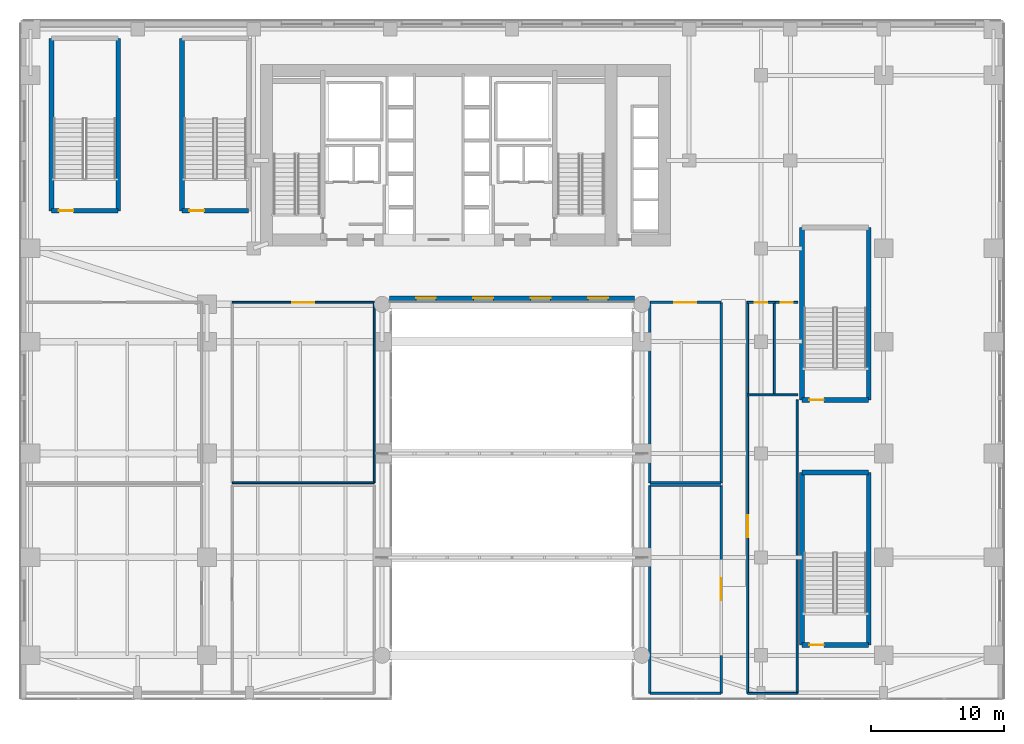
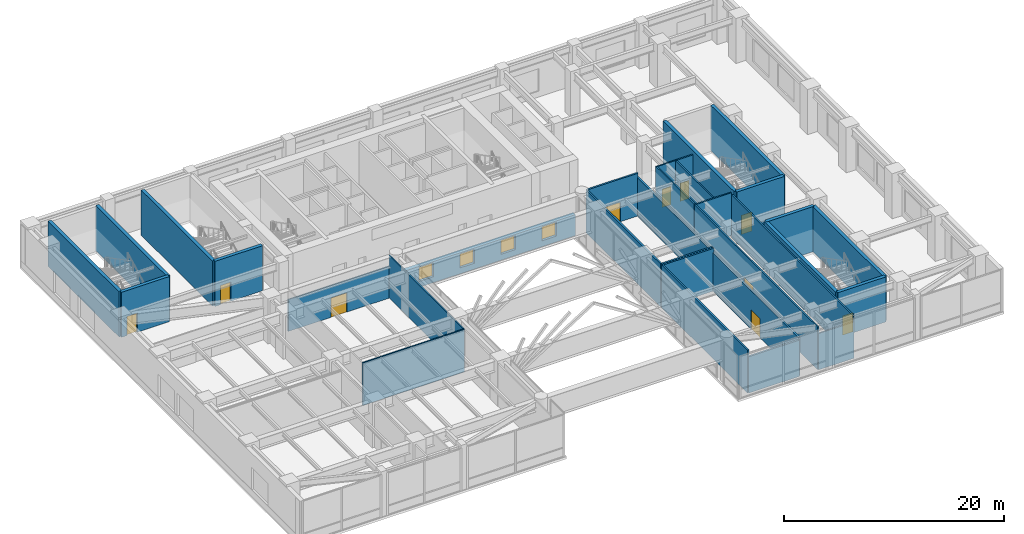
# One storey, part 28 of 39: 32 walls, 10 doors, 4 windows, 14 openings.
"""IFC4 building model written with IfcOpenShell, lengths in metres."""

from ifc_helpers import new_model, si_unit, direction, frame, frame_2d, origin, place, context, subcontext, project, spatial, rectangle, extrude, source, transform, mapped, material, layer, layer_set, type_object, type_shapes, element, fill, save


model = new_model("IFC4")

# Units and contexts
model_context = context("Model", 3, precision=1e-05, world=origin(), true_north=direction((0.0, 1.0)))
body_context = subcontext(model_context, "Body", "Model", "MODEL_VIEW")
ifc_project = project(units=[si_unit("LENGTHUNIT", "METRE"), si_unit("AREAUNIT", "SQUARE_METRE"), si_unit("VOLUMEUNIT", "CUBIC_METRE"), si_unit("PLANEANGLEUNIT", "RADIAN"), si_unit("MASSUNIT", "GRAM", prefix="KILO")], contexts=[model_context])

# Site, building, storey
site_placement = place(None, origin())
site = spatial("IfcSite", under=ifc_project, at=site_placement, CompositionType="ELEMENT")
building_placement = place(site_placement, origin())
building = spatial("IfcBuilding", under=site, at=building_placement, Name="Tolvann Quenvar Hotel", CompositionType="ELEMENT")
storey_placement = place(building_placement, frame((0.0, 0.0, 11.0)))
storey = spatial("IfcBuildingStorey", under=building, at=storey_placement, Name="L02", CompositionType="ELEMENT", Elevation=11.0)

# Wall, opening, door
ifc_material_1 = material(Name="Concrete S65 (65 MPa)", Category="concrete")
ifc_layer_1 = layer(ifc_material_1, 0.35009765625)
ifc_layer_set_1 = layer_set([ifc_layer_1], Name="Concrete S65 (65 MPa)")
wall_type_1 = type_object("IfcWallType", Name="WALL_CORE_INT_350", PredefinedType="SHEAR", material=ifc_layer_set_1)
wall_1_placement = place(storey_placement, frame((-6.074951171875, 34.22509765625, 0.0), z_axis=(0.0, 0.0, 1.0), x_axis=(1.0, 0.0, 0.0)))
wall_1 = element("IfcWall", 1, at=wall_1_placement, inside=storey, type_object=wall_type_1, Name="Stairwell ST-P1 Structural Shaft Wall S (L02)", PredefinedType="SHEAR", context=body_context, shape_type="SweptSolid", body=[
    extrude(rectangle(XDim=5.0, YDim=0.35009765625, at=frame_2d((2.5, 0.0))), origin(), (0.0, 0.0, 1.0), 5.0),
])
opening_1_placement = place(wall_1_placement, frame((0.550048828125, 0.0, 0.0)))
opening_1 = element("IfcOpeningElement", 2, at=opening_1_placement, cuts=wall_1, Name="Opening FD-120", PredefinedType="OPENING", context=body_context, shape_type="SweptSolid", body=[
    extrude(rectangle(XDim=1.10009765625, YDim=2.1201171875, at=frame_2d((0.550048828125, 1.06005859375))), frame((0.0, 0.18505859375, 0.0), z_axis=(0.0, -1.0, 0.0), x_axis=(1.0, 0.0, 0.0)), (0.0, 0.0, 1.0), 0.3701171875),
])
ifc_material_2 = material(Name="Pressed galvanised steel fire-rated door set", Category="steel")
door_type_1 = type_object("IfcDoorType", Name="DOOR_FIRE_STAIR_1100", OperationType="NOTDEFINED", PredefinedType="DOOR", material=ifc_material_2)
shared_shape_1 = source(origin(), body_context, "Body", "SweptSolid", [
    extrude(rectangle(XDim=1.10009765625, YDim=2.1201171875, at=frame_2d((0.550048828125, 1.06005859375))), frame((0.0, 0.02490234375, 0.0), z_axis=(0.0, -1.0, 0.0), x_axis=(1.0, 0.0, 0.0)), (0.0, 0.0, 1.0), 0.050048828125),
])
type_shapes(door_type_1, [shared_shape_1])
door_1_placement = place(opening_1_placement, origin())
door_1 = element("IfcDoor", 3, at=door_1_placement, inside=storey, type_object=door_type_1, Name="Exit Stair ST-P1 Fire Door (L02)", OperationType="SINGLE_SWING_RIGHT", OverallHeight=2.1201171875, OverallWidth=1.10009765625, PredefinedType="DOOR", context=body_context, shape_type="MappedRepresentation", body=[
    mapped(shared_shape_1, transform((0.0, 0.0, 0.0), x_axis=(1.0, 0.0, 0.0), y_axis=(0.0, 1.0, 0.0), z_axis=(0.0, 0.0, 1.0), scale=1.0)),
])
fill(opening_1, door_1)

# Walls
for number, where, z_axis, x_axis, name in (
    (4, (-1.074951171875, 34.22509765625, 0.0), (0.0, 0.0, 1.0), (0.0, 1.0, 0.0), "Stairwell ST-P1 Structural Shaft Wall E (L02)"),
    (5, (-6.074951171875, 47.175048828125, 0.0), (0.0, 0.0, 1.0), (0.0, -1.0, 0.0), "Stairwell ST-P1 Structural Shaft Wall W (L02)"),
):
    element("IfcWall", number, at=place(storey_placement, frame(where, z_axis=z_axis, x_axis=x_axis)), inside=storey, type_object=wall_type_1, Name=name, PredefinedType="SHEAR", context=body_context, shape_type="SweptSolid", body=[
        extrude(rectangle(XDim=12.949951171875, YDim=0.35009765625, at=frame_2d((6.47509765625, 0.0))), origin(), (0.0, 0.0, 1.0), 5.0),
    ])

# Wall, opening, door
wall_2_placement = place(storey_placement, frame((3.72509765625, 34.22509765625, 0.0), z_axis=(0.0, 0.0, 1.0), x_axis=(1.0, 0.0, 0.0)))
wall_2 = element("IfcWall", 6, at=wall_2_placement, inside=storey, type_object=wall_type_1, Name="Stairwell ST-P2 Structural Shaft Wall S (L02)", PredefinedType="SHEAR", context=body_context, shape_type="SweptSolid", body=[
    extrude(rectangle(XDim=5.0, YDim=0.35009765625, at=frame_2d((2.5, 0.0))), origin(), (0.0, 0.0, 1.0), 5.0),
])
opening_2_placement = place(wall_2_placement, frame((0.550048828125, 0.0, 0.0)))
opening_2 = element("IfcOpeningElement", 7, at=opening_2_placement, cuts=wall_2, Name="Opening FD-120", PredefinedType="OPENING", context=body_context, shape_type="SweptSolid", body=[
    extrude(rectangle(XDim=1.10009765625, YDim=2.1201171875, at=frame_2d((0.550048828125, 1.06005859375))), frame((0.0, 0.18505859375, 0.0), z_axis=(0.0, -1.0, 0.0), x_axis=(1.0, 0.0, 0.0)), (0.0, 0.0, 1.0), 0.3701171875),
])
door_2_placement = place(opening_2_placement, origin())
door_2 = element("IfcDoor", 8, at=door_2_placement, inside=storey, type_object=door_type_1, Name="Exit Stair ST-P2 Fire Door (L02)", OperationType="SINGLE_SWING_LEFT", OverallHeight=2.1201171875, OverallWidth=1.10009765625, PredefinedType="DOOR", context=body_context, shape_type="MappedRepresentation", body=[
    mapped(shared_shape_1, transform((0.0, 0.0, 0.0), x_axis=(1.0, 0.0, 0.0), y_axis=(0.0, 1.0, 0.0), z_axis=(0.0, 0.0, 1.0), scale=1.0)),
])
fill(opening_2, door_2)

# Wall
wall_3_placement = place(storey_placement, frame((3.72509765625, 47.175048828125, 0.0), z_axis=(0.0, 0.0, 1.0), x_axis=(0.0, -1.0, 0.0)))
element("IfcWall", 9, at=wall_3_placement, inside=storey, type_object=wall_type_1, Name="Stairwell ST-P2 Structural Shaft Wall W (L02)", PredefinedType="SHEAR", context=body_context, shape_type="SweptSolid", body=[
    extrude(rectangle(XDim=12.949951171875, YDim=0.35009765625, at=frame_2d((6.47509765625, 0.0))), origin(), (0.0, 0.0, 1.0), 5.0),
])

# Wall, opening, door
wall_4_placement = place(storey_placement, frame((50.27490234375, 1.625, 0.0), z_axis=(0.0, 0.0, 1.0), x_axis=(1.0, 0.0, 0.0)))
wall_4 = element("IfcWall", 10, at=wall_4_placement, inside=storey, type_object=wall_type_1, Name="Stairwell ST-P3 Structural Shaft Wall S (L02)", PredefinedType="SHEAR", context=body_context, shape_type="SweptSolid", body=[
    extrude(rectangle(XDim=5.0, YDim=0.35009765625, at=frame_2d((2.5, 0.0))), origin(), (0.0, 0.0, 1.0), 5.0),
])
opening_3_placement = place(wall_4_placement, frame((0.550048828125, 0.0, 0.0)))
opening_3 = element("IfcOpeningElement", 11, at=opening_3_placement, cuts=wall_4, Name="Opening FD-120", PredefinedType="OPENING", context=body_context, shape_type="SweptSolid", body=[
    extrude(rectangle(XDim=1.10009765625, YDim=2.1201171875, at=frame_2d((0.550048828125, 1.06005859375))), frame((0.0, 0.18505859375, 0.0), z_axis=(0.0, -1.0, 0.0), x_axis=(1.0, 0.0, 0.0)), (0.0, 0.0, 1.0), 0.3701171875),
])
door_3_placement = place(opening_3_placement, origin())
door_3 = element("IfcDoor", 12, at=door_3_placement, inside=storey, type_object=door_type_1, Name="Exit Stair ST-P3 Fire Door (L02)", OperationType="SINGLE_SWING_RIGHT", OverallHeight=2.1201171875, OverallWidth=1.10009765625, PredefinedType="DOOR", context=body_context, shape_type="MappedRepresentation", body=[
    mapped(shared_shape_1, transform((0.0, 0.0, 0.0), x_axis=(1.0, 0.0, 0.0), y_axis=(0.0, 1.0, 0.0), z_axis=(0.0, 0.0, 1.0), scale=1.0)),
])
fill(opening_3, door_3)

# Walls
wall_5_placement = place(storey_placement, frame((55.27490234375, 1.625, 0.0), z_axis=(0.0, 0.0, 1.0), x_axis=(0.0, 1.0, 0.0)))
element("IfcWall", 13, at=wall_5_placement, inside=storey, type_object=wall_type_1, Name="Stairwell ST-P3 Structural Shaft Wall E (L02)", PredefinedType="SHEAR", context=body_context, shape_type="SweptSolid", body=[
    extrude(rectangle(XDim=12.949951171875, YDim=0.35009765625, at=frame_2d((6.47509765625, 0.0))), origin(), (0.0, 0.0, 1.0), 5.0),
])
wall_6_placement = place(storey_placement, frame((55.27490234375, 14.574951171875, 0.0), z_axis=(0.0, 0.0, 1.0), x_axis=(-1.0, 0.0, 0.0)))
element("IfcWall", 14, at=wall_6_placement, inside=storey, type_object=wall_type_1, Name="Stairwell ST-P3 Structural Shaft Wall N (L02)", PredefinedType="SHEAR", context=body_context, shape_type="SweptSolid", body=[
    extrude(rectangle(XDim=5.0, YDim=0.35009765625, at=frame_2d((2.5, 0.0))), origin(), (0.0, 0.0, 1.0), 5.0),
])
wall_7_placement = place(storey_placement, frame((50.27490234375, 14.574951171875, 0.0), z_axis=(0.0, 0.0, 1.0), x_axis=(0.0, -1.0, 0.0)))
element("IfcWall", 15, at=wall_7_placement, inside=storey, type_object=wall_type_1, Name="Stairwell ST-P3 Structural Shaft Wall W (L02)", PredefinedType="SHEAR", context=body_context, shape_type="SweptSolid", body=[
    extrude(rectangle(XDim=12.949951171875, YDim=0.35009765625, at=frame_2d((6.47509765625, 0.0))), origin(), (0.0, 0.0, 1.0), 5.0),
])

# Wall, opening, door
wall_8_placement = place(storey_placement, frame((50.27490234375, 20.02490234375, 0.0), z_axis=(0.0, 0.0, 1.0), x_axis=(1.0, 0.0, 0.0)))
wall_8 = element("IfcWall", 16, at=wall_8_placement, inside=storey, type_object=wall_type_1, Name="Stairwell ST-P4 Structural Shaft Wall S (L02)", PredefinedType="SHEAR", context=body_context, shape_type="SweptSolid", body=[
    extrude(rectangle(XDim=5.0, YDim=0.35009765625, at=frame_2d((2.5, 0.0))), origin(), (0.0, 0.0, 1.0), 5.0),
])
opening_4_placement = place(wall_8_placement, frame((0.550048828125, 0.0, 0.0)))
opening_4 = element("IfcOpeningElement", 17, at=opening_4_placement, cuts=wall_8, Name="Opening FD-120", PredefinedType="OPENING", context=body_context, shape_type="SweptSolid", body=[
    extrude(rectangle(XDim=1.10009765625, YDim=2.1201171875, at=frame_2d((0.550048828125, 1.06005859375))), frame((0.0, 0.18505859375, 0.0), z_axis=(0.0, -1.0, 0.0), x_axis=(1.0, 0.0, 0.0)), (0.0, 0.0, 1.0), 0.3701171875),
])
door_4_placement = place(opening_4_placement, origin())
door_4 = element("IfcDoor", 18, at=door_4_placement, inside=storey, type_object=door_type_1, Name="Exit Stair ST-P4 Fire Door (L02)", OperationType="SINGLE_SWING_LEFT", OverallHeight=2.1201171875, OverallWidth=1.10009765625, PredefinedType="DOOR", context=body_context, shape_type="MappedRepresentation", body=[
    mapped(shared_shape_1, transform((0.0, 0.0, 0.0), x_axis=(1.0, 0.0, 0.0), y_axis=(0.0, 1.0, 0.0), z_axis=(0.0, 0.0, 1.0), scale=1.0)),
])
fill(opening_4, door_4)

# Walls
for number, where, z_axis, x_axis, name in (
    (19, (55.27490234375, 20.02490234375, 0.0), (0.0, 0.0, 1.0), (0.0, 1.0, 0.0), "Stairwell ST-P4 Structural Shaft Wall E (L02)"),
    (20, (50.27490234375, 32.97509765625, 0.0), (0.0, 0.0, 1.0), (0.0, -1.0, 0.0), "Stairwell ST-P4 Structural Shaft Wall W (L02)"),
):
    element("IfcWall", number, at=place(storey_placement, frame(where, z_axis=z_axis, x_axis=x_axis)), inside=storey, type_object=wall_type_1, Name=name, PredefinedType="SHEAR", context=body_context, shape_type="SweptSolid", body=[
        extrude(rectangle(XDim=12.9501953125, YDim=0.35009765625, at=frame_2d((6.47509765625, 0.0))), origin(), (0.0, 0.0, 1.0), 5.0),
    ])

# Wall, openings, windows
ifc_material_3 = material(Name="Kiln-fired red and buff architectural clay brickwork and terracotta masonry", Category="masonry")
ifc_layer_2 = layer(ifc_material_3, 0.419921875)
ifc_layer_set_2 = layer_set([ifc_layer_2], Name="Kiln-fired red and buff architectural clay brickwork and terracotta masonry")
wall_type_2 = type_object("IfcWallType", Name="WALL_EXT_POD_420", PredefinedType="SOLIDWALL", material=ifc_layer_set_2)
wall_9_placement = place(storey_placement, frame((19.2900390625, 27.610107421875, 0.0), z_axis=(0.0, 0.0, 1.0), x_axis=(1.0, 0.0, 0.0)))
wall_9 = element("IfcWall", 21, at=wall_9_placement, inside=storey, type_object=wall_type_2, Name="Exterior Chicago Brick Wall L02-E02", PredefinedType="SOLIDWALL", context=body_context, shape_type="SweptSolid", body=[
    extrude(rectangle(XDim=18.419921875, YDim=0.419921875, at=frame_2d((9.2099609375, 0.0))), origin(), (0.0, 0.0, 1.0), 2.330078125),
])
opening_5_placement = place(wall_9_placement, frame((2.0029296875, 0.0, 0.64990234375)))
opening_5 = element("IfcOpeningElement", 22, at=opening_5_placement, cuts=wall_9, Name="Opening W-08", PredefinedType="OPENING", context=body_context, shape_type="SweptSolid", body=[
    extrude(rectangle(XDim=1.5, YDim=1.550048828125, at=frame_2d((0.75, 0.77490234375))), frame((0.0, 0.219970703125, 0.0), z_axis=(0.0, -1.0, 0.0), x_axis=(1.0, 0.0, 0.0)), (0.0, 0.0, 1.0), 0.43994140625),
])
opening_6_placement = place(wall_9_placement, frame((6.30810546875, 0.0, 0.64990234375)))
opening_6 = element("IfcOpeningElement", 23, at=opening_6_placement, cuts=wall_9, Name="Opening W-08", PredefinedType="OPENING", context=body_context, shape_type="SweptSolid", body=[
    extrude(rectangle(XDim=1.5, YDim=1.550048828125, at=frame_2d((0.75, 0.77490234375))), frame((0.0, 0.219970703125, 0.0), z_axis=(0.0, -1.0, 0.0), x_axis=(1.0, 0.0, 0.0)), (0.0, 0.0, 1.0), 0.43994140625),
])
opening_7_placement = place(wall_9_placement, frame((10.613037109375, 0.0, 0.64990234375)))
opening_7 = element("IfcOpeningElement", 24, at=opening_7_placement, cuts=wall_9, Name="Opening W-08", PredefinedType="OPENING", context=body_context, shape_type="SweptSolid", body=[
    extrude(rectangle(XDim=1.5, YDim=1.550048828125, at=frame_2d((0.75, 0.77490234375))), frame((0.0, 0.219970703125, 0.0), z_axis=(0.0, -1.0, 0.0), x_axis=(1.0, 0.0, 0.0)), (0.0, 0.0, 1.0), 0.43994140625),
])
opening_8_placement = place(wall_9_placement, frame((14.91796875, 0.0, 0.64990234375)))
opening_8 = element("IfcOpeningElement", 25, at=opening_8_placement, cuts=wall_9, Name="Opening W-08", PredefinedType="OPENING", context=body_context, shape_type="SweptSolid", body=[
    extrude(rectangle(XDim=1.5, YDim=1.550048828125, at=frame_2d((0.75, 0.77490234375))), frame((0.0, 0.219970703125, 0.0), z_axis=(0.0, -1.0, 0.0), x_axis=(1.0, 0.0, 0.0)), (0.0, 0.0, 1.0), 0.43994140625),
])
ifc_material_4 = material(Name="Thermally broken bronze-anodised aluminium frame with double low-E glazing", Category="aluminium")
window_type = type_object("IfcWindowType", Name="WIN_COR_1500x2050", PartitioningType="SINGLE_PANEL", PredefinedType="WINDOW", material=ifc_material_4)
shared_shape_2 = source(origin(), body_context, "Body", "SweptSolid", [
    extrude(rectangle(XDim=1.5, YDim=1.550048828125, at=frame_2d((0.75, 0.77490234375))), frame((0.0, 0.090087890625, 0.0), z_axis=(0.0, -1.0, 0.0), x_axis=(1.0, 0.0, 0.0)), (0.0, 0.0, 1.0), 0.06005859375),
])
type_shapes(window_type, [shared_shape_2])
window_1_placement = place(opening_5_placement, origin())
window_1 = element("IfcWindow", 26, at=window_1_placement, inside=storey, type_object=window_type, Name="Chicago Window W-08 (EW-L02-E02-W01)", OverallHeight=1.550048828125, OverallWidth=1.5, PartitioningType="SINGLE_PANEL", PredefinedType="WINDOW", context=body_context, shape_type="MappedRepresentation", body=[
    mapped(shared_shape_2, transform((0.0, 0.0, 0.0), x_axis=(1.0, 0.0, 0.0), y_axis=(0.0, 1.0, 0.0), z_axis=(0.0, 0.0, 1.0), scale=1.0)),
])
fill(opening_5, window_1)
window_2_placement = place(opening_6_placement, origin())
window_2 = element("IfcWindow", 27, at=window_2_placement, inside=storey, type_object=window_type, Name="Chicago Window W-08 (EW-L02-E02-W02)", OverallHeight=1.550048828125, OverallWidth=1.5, PartitioningType="SINGLE_PANEL", PredefinedType="WINDOW", context=body_context, shape_type="MappedRepresentation", body=[
    mapped(shared_shape_2, transform((0.0, 0.0, 0.0), x_axis=(1.0, 0.0, 0.0), y_axis=(0.0, 1.0, 0.0), z_axis=(0.0, 0.0, 1.0), scale=1.0)),
])
fill(opening_6, window_2)
window_3_placement = place(opening_7_placement, origin())
window_3 = element("IfcWindow", 28, at=window_3_placement, inside=storey, type_object=window_type, Name="Chicago Window W-08 (EW-L02-E02-W03)", OverallHeight=1.550048828125, OverallWidth=1.5, PartitioningType="SINGLE_PANEL", PredefinedType="WINDOW", context=body_context, shape_type="MappedRepresentation", body=[
    mapped(shared_shape_2, transform((0.0, 0.0, 0.0), x_axis=(1.0, 0.0, 0.0), y_axis=(0.0, 1.0, 0.0), z_axis=(0.0, 0.0, 1.0), scale=1.0)),
])
fill(opening_7, window_3)
window_4_placement = place(opening_8_placement, origin())
window_4 = element("IfcWindow", 29, at=window_4_placement, inside=storey, type_object=window_type, Name="Chicago Window W-08 (EW-L02-E02-W04)", OverallHeight=1.550048828125, OverallWidth=1.5, PartitioningType="SINGLE_PANEL", PredefinedType="WINDOW", context=body_context, shape_type="MappedRepresentation", body=[
    mapped(shared_shape_2, transform((0.0, 0.0, 0.0), x_axis=(1.0, 0.0, 0.0), y_axis=(0.0, 1.0, 0.0), z_axis=(0.0, 0.0, 1.0), scale=1.0)),
])
fill(opening_8, window_4)

# Walls
ifc_material_5 = material(Name="Acoustic twin-stud fire-rated gypsum plasterboard partition")
ifc_layer_3 = layer(ifc_material_5, 0.179931640625)
ifc_layer_set_3 = layer_set([ifc_layer_3], Name="Acoustic twin-stud fire-rated gypsum plasterboard partition")
wall_type_3 = type_object("IfcWallType", Name="WALL_PART_ACOUSTIC_180", PredefinedType="PARTITIONING", material=ifc_layer_set_3)
wall_10_placement = place(storey_placement, frame((38.85009765625, -2.0, 0.0), z_axis=(0.0, 0.0, 1.0), x_axis=(1.0, 0.0, 0.0)))
element("IfcWall", 30, at=wall_10_placement, inside=storey, type_object=wall_type_3, Name="Interior Partition PT-SPC-L02-BRD1-S", PredefinedType="PARTITIONING", context=body_context, shape_type="SweptSolid", body=[
    extrude(rectangle(XDim=5.349853515625, YDim=0.179931640625, at=frame_2d((2.6748046875, 0.0))), origin(), (0.0, 0.0, 1.0), 4.030029296875),
])
wall_11_placement = place(storey_placement, frame((38.85009765625, 13.60009765625, 0.0), z_axis=(0.0, 0.0, 1.0), x_axis=(1.0, 0.0, 0.0)))
element("IfcWall", 31, at=wall_11_placement, inside=storey, type_object=wall_type_3, Name="Interior Partition PT-SPC-L02-BRD1-N", PredefinedType="PARTITIONING", context=body_context, shape_type="SweptSolid", body=[
    extrude(rectangle(XDim=5.349853515625, YDim=0.179931640625, at=frame_2d((2.6748046875, 0.0))), origin(), (0.0, 0.0, 1.0), 4.739990234375),
])
wall_12_placement = place(storey_placement, frame((38.85009765625, -2.0, 0.0), z_axis=(0.0, 0.0, 1.0), x_axis=(0.0, 1.0, 0.0)))
element("IfcWall", 32, at=wall_12_placement, inside=storey, type_object=wall_type_3, Name="Interior Partition PT-SPC-L02-BRD1-W", PredefinedType="PARTITIONING", context=body_context, shape_type="SweptSolid", body=[
    extrude(rectangle(XDim=15.60009765625, YDim=0.179931640625, at=frame_2d((7.800048828125, 0.0))), origin(), (0.0, 0.0, 1.0), 4.739990234375),
])

# Wall, opening, door
wall_13_placement = place(storey_placement, frame((44.199951171875, -2.0, 0.0), z_axis=(0.0, 0.0, 1.0), x_axis=(0.0, 1.0, 0.0)))
wall_13 = element("IfcWall", 33, at=wall_13_placement, inside=storey, type_object=wall_type_3, Name="Interior Partition PT-SPC-L02-BRD1-E", PredefinedType="PARTITIONING", context=body_context, shape_type="SweptSolid", body=[
    extrude(rectangle(XDim=15.60009765625, YDim=0.179931640625, at=frame_2d((7.800048828125, 0.0))), origin(), (0.0, 0.0, 1.0), 4.27587890625),
])
opening_9_placement = place(wall_13_placement, frame((6.97509765625, 0.0, 0.0)))
opening_9 = element("IfcOpeningElement", 34, at=opening_9_placement, cuts=wall_13, Name="Opening AD-01", PredefinedType="OPENING", context=body_context, shape_type="SweptSolid", body=[
    extrude(rectangle(XDim=1.64990234375, YDim=2.14990234375, at=frame_2d((0.824951171875, 1.074951171875))), frame((0.0, 0.10009765625, 0.0), z_axis=(0.0, -1.0, 0.0), x_axis=(1.0, 0.0, 0.0)), (0.0, 0.0, 1.0), 0.199951171875),
])
ifc_material_6 = material(Name="Solid-core American oak acoustic fire door leaf in steel frame", Category="steel")
door_type_2 = type_object("IfcDoorType", Name="DOOR_SALON_1650", OperationType="NOTDEFINED", PredefinedType="DOOR", material=ifc_material_6)
shared_shape_3 = source(origin(), body_context, "Body", "SweptSolid", [
    extrude(rectangle(XDim=1.64990234375, YDim=2.14990234375, at=frame_2d((0.824951171875, 1.074951171875))), frame((0.0, 0.02490234375, 0.0), z_axis=(0.0, -1.0, 0.0), x_axis=(1.0, 0.0, 0.0)), (0.0, 0.0, 1.0), 0.050048828125),
])
type_shapes(door_type_2, [shared_shape_3])
door_5_placement = place(opening_9_placement, origin())
door_5 = element("IfcDoor", 35, at=door_5_placement, inside=storey, type_object=door_type_2, Name="Interior Door DOOR-SPC-L02-BRD1", OperationType="DOUBLE_DOOR_SINGLE_SWING", OverallHeight=2.14990234375, OverallWidth=1.64990234375, PredefinedType="DOOR", context=body_context, shape_type="MappedRepresentation", body=[
    mapped(shared_shape_3, transform((0.0, 0.0, 0.0), x_axis=(1.0, 0.0, 0.0), y_axis=(0.0, 1.0, 0.0), z_axis=(0.0, 0.0, 1.0), scale=1.0)),
])
fill(opening_9, door_5)

# Wall
wall_14_placement = place(storey_placement, frame((38.85009765625, 13.800048828125, 0.0), z_axis=(0.0, 0.0, 1.0), x_axis=(1.0, 0.0, 0.0)))
element("IfcWall", 36, at=wall_14_placement, inside=storey, type_object=wall_type_3, Name="Interior Partition PT-SPC-L02-BRD2-S", PredefinedType="PARTITIONING", context=body_context, shape_type="SweptSolid", body=[
    extrude(rectangle(XDim=5.349853515625, YDim=0.179931640625, at=frame_2d((2.6748046875, 0.0))), origin(), (0.0, 0.0, 1.0), 4.739990234375),
])

# Wall, opening, door
wall_15_placement = place(storey_placement, frame((38.85009765625, 27.35009765625, 0.0), z_axis=(0.0, 0.0, 1.0), x_axis=(1.0, 0.0, 0.0)))
wall_15 = element("IfcWall", 37, at=wall_15_placement, inside=storey, type_object=wall_type_3, Name="Interior Partition PT-SPC-L02-BRD2-N", PredefinedType="PARTITIONING", context=body_context, shape_type="SweptSolid", body=[
    extrude(rectangle(XDim=5.349853515625, YDim=0.179931640625, at=frame_2d((2.6748046875, 0.0))), origin(), (0.0, 0.0, 1.0), 4.739990234375),
])
opening_10_placement = place(wall_15_placement, frame((1.85009765625, 0.0, 0.0)))
opening_10 = element("IfcOpeningElement", 38, at=opening_10_placement, cuts=wall_15, Name="Opening AD-01", PredefinedType="OPENING", context=body_context, shape_type="SweptSolid", body=[
    extrude(rectangle(XDim=1.64990234375, YDim=2.14990234375, at=frame_2d((0.824951171875, 1.074951171875))), frame((0.0, 0.10009765625, 0.0), z_axis=(0.0, -1.0, 0.0), x_axis=(1.0, 0.0, 0.0)), (0.0, 0.0, 1.0), 0.199951171875),
])
door_6_placement = place(opening_10_placement, origin())
door_6 = element("IfcDoor", 39, at=door_6_placement, inside=storey, type_object=door_type_2, Name="Interior Door DOOR-SPC-L02-BRD2", OperationType="DOUBLE_DOOR_SINGLE_SWING", OverallHeight=2.14990234375, OverallWidth=1.64990234375, PredefinedType="DOOR", context=body_context, shape_type="MappedRepresentation", body=[
    mapped(shared_shape_3, transform((0.0, 0.0, 0.0), x_axis=(1.0, 0.0, 0.0), y_axis=(0.0, 1.0, 0.0), z_axis=(0.0, 0.0, 1.0), scale=1.0)),
])
fill(opening_10, door_6)

# Walls
wall_16_placement = place(storey_placement, frame((38.85009765625, 13.800048828125, 0.0), z_axis=(0.0, 0.0, 1.0), x_axis=(0.0, 1.0, 0.0)))
element("IfcWall", 40, at=wall_16_placement, inside=storey, type_object=wall_type_3, Name="Interior Partition PT-SPC-L02-BRD2-W", PredefinedType="PARTITIONING", context=body_context, shape_type="SweptSolid", body=[
    extrude(rectangle(XDim=13.550048828125, YDim=0.179931640625, at=frame_2d((6.77490234375, 0.0))), origin(), (0.0, 0.0, 1.0), 4.739990234375),
])
wall_17_placement = place(storey_placement, frame((44.199951171875, 13.800048828125, 0.0), z_axis=(0.0, 0.0, 1.0), x_axis=(0.0, 1.0, 0.0)))
element("IfcWall", 41, at=wall_17_placement, inside=storey, type_object=wall_type_3, Name="Interior Partition PT-SPC-L02-BRD2-E", PredefinedType="PARTITIONING", context=body_context, shape_type="SweptSolid", body=[
    extrude(rectangle(XDim=13.550048828125, YDim=0.179931640625, at=frame_2d((6.77490234375, 0.0))), origin(), (0.0, 0.0, 1.0), 4.27587890625),
])
ifc_material_7 = material(Name="Acoustic operable timber-clad banquet partition", Category="wood")
ifc_layer_4 = layer(ifc_material_7, 0.1298828125)
ifc_layer_set_4 = layer_set([ifc_layer_4], Name="Acoustic operable timber-clad banquet partition")
wall_type_4 = type_object("IfcWallType", Name="WALL_PART_OPER_130", PredefinedType="MOVABLE", material=ifc_layer_set_4)
wall_18_placement = place(storey_placement, frame((7.5, 13.800048828125, 0.0), z_axis=(0.0, 0.0, 1.0), x_axis=(1.0, 0.0, 0.0)))
element("IfcWall", 42, at=wall_18_placement, inside=storey, type_object=wall_type_4, Name="Interior Partition PT-SPC-L02-CF4-S", PredefinedType="MOVABLE", context=body_context, shape_type="SweptSolid", body=[
    extrude(rectangle(XDim=10.64990234375, YDim=0.1298828125, at=frame_2d((5.324951171875, 0.0))), origin(), (0.0, 0.0, 1.0), 4.739990234375),
])

# Wall, opening, door
wall_19_placement = place(storey_placement, frame((7.5, 27.35009765625, 0.0), z_axis=(0.0, 0.0, 1.0), x_axis=(1.0, 0.0, 0.0)))
wall_19 = element("IfcWall", 43, at=wall_19_placement, inside=storey, type_object=wall_type_4, Name="Interior Partition PT-SPC-L02-CF4-N", PredefinedType="MOVABLE", context=body_context, shape_type="SweptSolid", body=[
    extrude(rectangle(XDim=10.64990234375, YDim=0.1298828125, at=frame_2d((5.324951171875, 0.0))), origin(), (0.0, 0.0, 1.0), 3.530029296875),
])
opening_11_placement = place(wall_19_placement, frame((4.5, 0.0, 0.0)))
opening_11 = element("IfcOpeningElement", 44, at=opening_11_placement, cuts=wall_19, Name="Opening AD-02", PredefinedType="OPENING", context=body_context, shape_type="SweptSolid", body=[
    extrude(rectangle(XDim=1.64990234375, YDim=2.14990234375, at=frame_2d((0.824951171875, 1.074951171875))), frame((0.0, 0.074951171875, 0.0), z_axis=(0.0, -1.0, 0.0), x_axis=(1.0, 0.0, 0.0)), (0.0, 0.0, 1.0), 0.14990234375),
])
door_type_3 = type_object("IfcDoorType", Name="DOOR_CONF_1650", OperationType="NOTDEFINED", PredefinedType="DOOR", material=ifc_material_6)
shared_shape_4 = source(origin(), body_context, "Body", "SweptSolid", [
    extrude(rectangle(XDim=1.64990234375, YDim=2.14990234375, at=frame_2d((0.824951171875, 1.074951171875))), frame((0.0, 0.02490234375, 0.0), z_axis=(0.0, -1.0, 0.0), x_axis=(1.0, 0.0, 0.0)), (0.0, 0.0, 1.0), 0.050048828125),
])
type_shapes(door_type_3, [shared_shape_4])
door_7_placement = place(opening_11_placement, origin())
door_7 = element("IfcDoor", 45, at=door_7_placement, inside=storey, type_object=door_type_3, Name="Interior Door DOOR-SPC-L02-CF4", OperationType="DOUBLE_DOOR_SINGLE_SWING", OverallHeight=2.14990234375, OverallWidth=1.64990234375, PredefinedType="DOOR", context=body_context, shape_type="MappedRepresentation", body=[
    mapped(shared_shape_4, transform((0.0, 0.0, 0.0), x_axis=(1.0, 0.0, 0.0), y_axis=(0.0, 1.0, 0.0), z_axis=(0.0, 0.0, 1.0), scale=1.0)),
])
fill(opening_11, door_7)

# Walls
wall_20_placement = place(storey_placement, frame((18.14990234375, 13.800048828125, 0.0), z_axis=(0.0, 0.0, 1.0), x_axis=(0.0, 1.0, 0.0)))
element("IfcWall", 46, at=wall_20_placement, inside=storey, type_object=wall_type_4, Name="Interior Partition PT-SPC-L02-CF4-E", PredefinedType="MOVABLE", context=body_context, shape_type="SweptSolid", body=[
    extrude(rectangle(XDim=13.550048828125, YDim=0.1298828125, at=frame_2d((6.77490234375, 0.0))), origin(), (0.0, 0.0, 1.0), 4.739990234375),
])
ifc_layer_5 = layer(ifc_material_5, 0.14990234375)
ifc_layer_set_5 = layer_set([ifc_layer_5], Name="Acoustic twin-stud fire-rated gypsum plasterboard partition")
wall_type_5 = type_object("IfcWallType", Name="WALL_PART_SUITE_150", PredefinedType="PARTITIONING", material=ifc_layer_set_5)
wall_21_placement = place(storey_placement, frame((46.199951171875, -2.0, 0.0), z_axis=(0.0, 0.0, 1.0), x_axis=(1.0, 0.0, 0.0)))
element("IfcWall", 47, at=wall_21_placement, inside=storey, type_object=wall_type_5, Name="Interior Partition PT-SPC-L02-BIZ-S", PredefinedType="PARTITIONING", context=body_context, shape_type="SweptSolid", body=[
    extrude(rectangle(XDim=3.699951171875, YDim=0.14990234375, at=frame_2d((1.85009765625, 0.0))), origin(), (0.0, 0.0, 1.0), 4.030029296875),
])
wall_22_placement = place(storey_placement, frame((46.1298828125, 20.39990234375, 0.0), z_axis=(0.0, 0.0, 1.0), x_axis=(1.0, 0.0, 0.0)))
element("IfcWall", 48, at=wall_22_placement, inside=storey, type_object=wall_type_5, Name="Interior Partition PT-SPC-L02-BIZ-N", PredefinedType="PARTITIONING", context=body_context, shape_type="SweptSolid", body=[
    extrude(rectangle(XDim=3.840087890625, YDim=0.14990234375, at=frame_2d((1.919921875, 0.0))), origin(), (0.0, 0.0, 1.0), 4.739990234375),
])

# Wall, opening, door
wall_23_placement = place(storey_placement, frame((46.199951171875, -2.0, 0.0), z_axis=(0.0, 0.0, 1.0), x_axis=(0.0, 1.0, 0.0)))
wall_23 = element("IfcWall", 49, at=wall_23_placement, inside=storey, type_object=wall_type_5, Name="Interior Partition PT-SPC-L02-BIZ-W", PredefinedType="PARTITIONING", context=body_context, shape_type="SweptSolid", body=[
    extrude(rectangle(XDim=22.39990234375, YDim=0.14990234375, at=frame_2d((11.199951171875, 0.0))), origin(), (0.0, 0.0, 1.0), 4.739990234375),
])
opening_12_placement = place(wall_23_placement, frame((11.72509765625, 0.0, 0.0)))
opening_12 = element("IfcOpeningElement", 50, at=opening_12_placement, cuts=wall_23, Name="Opening AD-01", PredefinedType="OPENING", context=body_context, shape_type="SweptSolid", body=[
    extrude(rectangle(XDim=1.64990234375, YDim=2.14990234375, at=frame_2d((0.824951171875, 1.074951171875))), frame((0.0, 0.0849609375, 0.0), z_axis=(0.0, -1.0, 0.0), x_axis=(1.0, 0.0, 0.0)), (0.0, 0.0, 1.0), 0.169921875),
])
door_8_placement = place(opening_12_placement, origin())
door_8 = element("IfcDoor", 51, at=door_8_placement, inside=storey, type_object=door_type_2, Name="Interior Door DOOR-SPC-L02-BIZ", OperationType="DOUBLE_DOOR_SINGLE_SWING", OverallHeight=2.14990234375, OverallWidth=1.64990234375, PredefinedType="DOOR", context=body_context, shape_type="MappedRepresentation", body=[
    mapped(shared_shape_3, transform((0.0, 0.0, 0.0), x_axis=(1.0, 0.0, 0.0), y_axis=(0.0, 1.0, 0.0), z_axis=(0.0, 0.0, 1.0), scale=1.0)),
])
fill(opening_12, door_8)

# Wall
wall_24_placement = place(storey_placement, frame((49.89990234375, -2.0, 0.0), z_axis=(0.0, 0.0, 1.0), x_axis=(0.0, 1.0, 0.0)))
element("IfcWall", 52, at=wall_24_placement, inside=storey, type_object=wall_type_5, Name="Interior Partition PT-SPC-L02-BIZ-E", PredefinedType="PARTITIONING", context=body_context, shape_type="SweptSolid", body=[
    extrude(rectangle(XDim=22.02490234375, YDim=0.14990234375, at=frame_2d((11.012451171875, 0.0))), origin(), (0.0, 0.0, 1.0), 4.739990234375),
])

# Wall, opening, door
wall_25_placement = place(storey_placement, frame((46.1298828125, 27.35009765625, 0.0), z_axis=(0.0, 0.0, 1.0), x_axis=(1.0, 0.0, 0.0)))
wall_25 = element("IfcWall", 53, at=wall_25_placement, inside=storey, type_object=wall_type_5, Name="Interior Partition PT-SPC-L02-WC1-N", PredefinedType="PARTITIONING", context=body_context, shape_type="SweptSolid", body=[
    extrude(rectangle(XDim=2.14013671875, YDim=0.14990234375, at=frame_2d((1.070068359375, 0.0))), origin(), (0.0, 0.0, 1.0), 4.739990234375),
])
opening_13_placement = place(wall_25_placement, frame((0.610107421875, 0.0, 0.0)))
opening_13 = element("IfcOpeningElement", 54, at=opening_13_placement, cuts=wall_25, Name="Opening WD-01", PredefinedType="OPENING", context=body_context, shape_type="SweptSolid", body=[
    extrude(rectangle(XDim=0.919921875, YDim=2.010009765625, at=frame_2d((0.4599609375, 1.0048828125))), frame((0.0, 0.0849609375, 0.0), z_axis=(0.0, -1.0, 0.0), x_axis=(1.0, 0.0, 0.0)), (0.0, 0.0, 1.0), 0.169921875),
])
door_type_4 = type_object("IfcDoorType", Name="DOOR_WC_920", OperationType="NOTDEFINED", PredefinedType="DOOR", material=ifc_material_6)
shared_shape_5 = source(origin(), body_context, "Body", "SweptSolid", [
    extrude(rectangle(XDim=0.919921875, YDim=2.010009765625, at=frame_2d((0.4599609375, 1.0048828125))), frame((0.0, 0.02490234375, 0.0), z_axis=(0.0, -1.0, 0.0), x_axis=(1.0, 0.0, 0.0)), (0.0, 0.0, 1.0), 0.050048828125),
])
type_shapes(door_type_4, [shared_shape_5])
door_9_placement = place(opening_13_placement, origin())
door_9 = element("IfcDoor", 55, at=door_9_placement, inside=storey, type_object=door_type_4, Name="Interior Door DOOR-SPC-L02-WC1", OperationType="SINGLE_SWING_LEFT", OverallHeight=2.010009765625, OverallWidth=0.919921875, PredefinedType="DOOR", context=body_context, shape_type="MappedRepresentation", body=[
    mapped(shared_shape_5, transform((0.0, 0.0, 0.0), x_axis=(1.0, 0.0, 0.0), y_axis=(0.0, 1.0, 0.0), z_axis=(0.0, 0.0, 1.0), scale=1.0)),
])
fill(opening_13, door_9)

# Walls
for number, where, z_axis, x_axis, name in (
    (56, (46.199951171875, 20.47998046875, 0.0), (0.0, 0.0, 1.0), (0.0, 1.0, 0.0), "Interior Partition PT-SPC-L02-WC1-W"),
    (57, (48.199951171875, 20.47998046875, 0.0), (0.0, 0.0, 1.0), (0.0, 1.0, 0.0), "Interior Partition PT-SPC-L02-WC1-E"),
):
    element("IfcWall", number, at=place(storey_placement, frame(where, z_axis=z_axis, x_axis=x_axis)), inside=storey, type_object=wall_type_5, Name=name, PredefinedType="PARTITIONING", context=body_context, shape_type="SweptSolid", body=[
        extrude(rectangle(XDim=6.93994140625, YDim=0.14990234375, at=frame_2d((3.469970703125, 0.0))), origin(), (0.0, 0.0, 1.0), 4.739990234375),
    ])

# Wall, opening, door
wall_26_placement = place(storey_placement, frame((48.280029296875, 27.35009765625, 0.0), z_axis=(0.0, 0.0, 1.0), x_axis=(1.0, 0.0, 0.0)))
wall_26 = element("IfcWall", 58, at=wall_26_placement, inside=storey, type_object=wall_type_5, Name="Interior Partition PT-SPC-L02-WCA-N", PredefinedType="PARTITIONING", context=body_context, shape_type="SweptSolid", body=[
    extrude(rectangle(XDim=1.68994140625, YDim=0.14990234375, at=frame_2d((0.844970703125, 0.0))), origin(), (0.0, 0.0, 1.0), 4.739990234375),
])
opening_14_placement = place(wall_26_placement, frame((0.385009765625, 0.0, 0.0)))
opening_14 = element("IfcOpeningElement", 59, at=opening_14_placement, cuts=wall_26, Name="Opening WD-01", PredefinedType="OPENING", context=body_context, shape_type="SweptSolid", body=[
    extrude(rectangle(XDim=0.919921875, YDim=2.010009765625, at=frame_2d((0.4599609375, 1.0048828125))), frame((0.0, 0.0849609375, 0.0), z_axis=(0.0, -1.0, 0.0), x_axis=(1.0, 0.0, 0.0)), (0.0, 0.0, 1.0), 0.169921875),
])
door_10_placement = place(opening_14_placement, origin())
door_10 = element("IfcDoor", 60, at=door_10_placement, inside=storey, type_object=door_type_4, Name="Interior Door DOOR-SPC-L02-WCA", OperationType="SINGLE_SWING_RIGHT", OverallHeight=2.010009765625, OverallWidth=0.919921875, PredefinedType="DOOR", context=body_context, shape_type="MappedRepresentation", body=[
    mapped(shared_shape_5, transform((0.0, 0.0, 0.0), x_axis=(1.0, 0.0, 0.0), y_axis=(0.0, 1.0, 0.0), z_axis=(0.0, 0.0, 1.0), scale=1.0)),
])
fill(opening_14, door_10)

save(model, "model.ifc")
